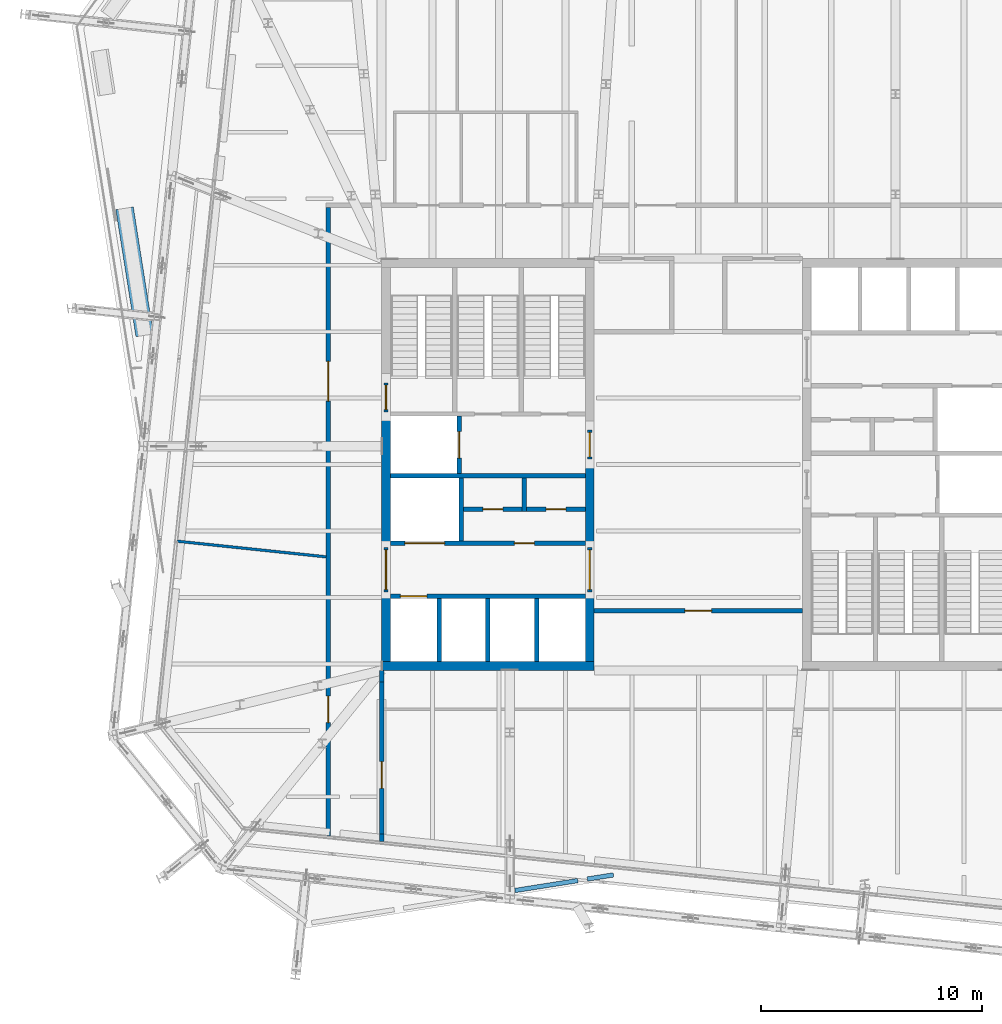
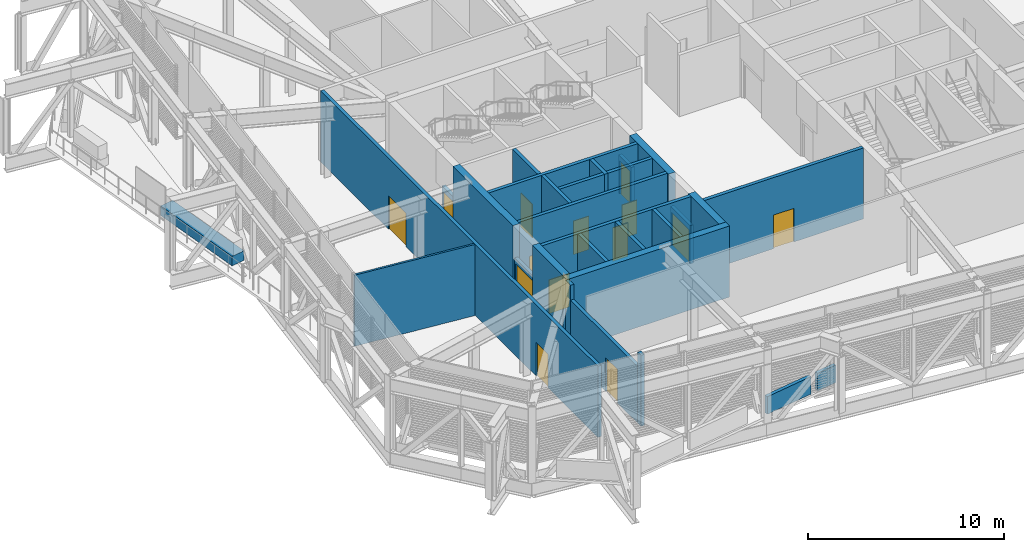
# One storey, part 21 of 36: 28 walls, 14 doors, 14 openings.
"""IFC4 building model written with IfcOpenShell, lengths in metres."""

from ifc_helpers import new_model, si_unit, direction, frame, frame_2d, origin, place, context, subcontext, project, spatial, rectangle, extrude, material, layer, layer_set, type_object, element, fill, save


model = new_model("IFC4")

# Units and contexts
model_context = context("Model", 3, precision=1e-05, world=origin(), true_north=direction((0.0, 1.0)))
body_context = subcontext(model_context, "Body", "Model", "MODEL_VIEW")
ifc_project = project(units=[si_unit("LENGTHUNIT", "METRE"), si_unit("AREAUNIT", "SQUARE_METRE"), si_unit("VOLUMEUNIT", "CUBIC_METRE"), si_unit("PLANEANGLEUNIT", "RADIAN"), si_unit("MASSUNIT", "GRAM", prefix="KILO")], contexts=[model_context])

# Site, building, storey
site_placement = place(None, origin())
site = spatial("IfcSite", under=ifc_project, at=site_placement, CompositionType="ELEMENT")
building_placement = place(site_placement, origin())
building = spatial("IfcBuilding", under=site, at=building_placement, Name="Millrace Tower", CompositionType="ELEMENT")
storey_placement = place(building_placement, frame((0.0, 0.0, 271.39990234375)))
storey = spatial("IfcBuildingStorey", under=building, at=storey_placement, Name="L62", CompositionType="ELEMENT", Elevation=271.39990234375)

# Walls
ifc_material_1 = material(Name="Concrete C60", Category="concrete")
ifc_layer_1 = layer(ifc_material_1, 0.39990234375)
ifc_layer_set_1 = layer_set([ifc_layer_1], Name="Concrete C60")
wall_type_1 = type_object("IfcWallType", Name="Core wall 400 Concrete C60", PredefinedType="SHEAR", material=ifc_layer_set_1)
wall_1_placement = place(storey_placement, frame((-14.300048828125, -9.10009765625, 0.0), z_axis=(0.0, 0.0, 1.0), x_axis=(1.0, 0.0, 0.0)))
element("IfcWall", 1, at=wall_1_placement, inside=storey, type_object=wall_type_1, Name="Core wall W L62", PredefinedType="SHEAR", context=body_context, shape_type="SweptSolid", body=[
    extrude(rectangle(XDim=9.60009765625, YDim=0.39990234375, at=frame_2d((4.800048828125, 0.0))), origin(), (0.0, 0.0, 1.0), 4.440185546875),
])
wall_2_placement = place(storey_placement, frame((-14.10009765625, -8.89990234375, 0.0), z_axis=(0.0, 0.0, 1.0), x_axis=(0.0, 1.0, 0.0)))
element("IfcWall", 2, at=wall_2_placement, inside=storey, type_object=wall_type_1, Name="Core wall W L62", PredefinedType="SHEAR", context=body_context, shape_type="SweptSolid", body=[
    extrude(rectangle(XDim=3.14990234375, YDim=0.39990234375, at=frame_2d((1.574951171875, 0.0))), origin(), (0.0, 0.0, 1.0), 4.440185546875),
])
wall_3_placement = place(storey_placement, frame((-14.10009765625, -3.75, 0.0), z_axis=(0.0, 0.0, 1.0), x_axis=(0.0, 1.0, 0.0)))
element("IfcWall", 3, at=wall_3_placement, inside=storey, type_object=wall_type_1, Name="Core wall W L62", PredefinedType="SHEAR", context=body_context, shape_type="SweptSolid", body=[
    extrude(rectangle(XDim=6.1298828125, YDim=0.39990234375, at=frame_2d((3.06494140625, 0.0))), origin(), (0.0, 0.0, 1.0), 4.440185546875),
])
wall_4_placement = place(storey_placement, frame((-4.89990234375, -8.89990234375, 0.0), z_axis=(0.0, 0.0, 1.0), x_axis=(0.0, 1.0, 0.0)))
element("IfcWall", 4, at=wall_4_placement, inside=storey, type_object=wall_type_1, Name="Core wall W L62", PredefinedType="SHEAR", context=body_context, shape_type="SweptSolid", body=[
    extrude(rectangle(XDim=3.14990234375, YDim=0.39990234375, at=frame_2d((1.574951171875, 0.0))), origin(), (0.0, 0.0, 1.0), 4.440185546875),
])
wall_5_placement = place(storey_placement, frame((-4.89990234375, -3.75, 0.0), z_axis=(0.0, 0.0, 1.0), x_axis=(0.0, 1.0, 0.0)))
element("IfcWall", 5, at=wall_5_placement, inside=storey, type_object=wall_type_1, Name="Core wall W L62", PredefinedType="SHEAR", context=body_context, shape_type="SweptSolid", body=[
    extrude(rectangle(XDim=4.0, YDim=0.39990234375, at=frame_2d((2.0, 0.0))), origin(), (0.0, 0.0, 1.0), 4.440185546875),
])

# Wall, opening, door
ifc_material_2 = material(Name="Masonry partition, fire-rated", Category="masonry")
ifc_layer_2 = layer(ifc_material_2, 0.199951171875)
ifc_layer_set_2 = layer_set([ifc_layer_2], Name="Masonry partition, fire-rated")
wall_type_2 = type_object("IfcWallType", Name="Corridor wall 200", PredefinedType="PARTITIONING", material=ifc_layer_set_2)
wall_6_placement = place(storey_placement, frame((-4.699951171875, -6.60009765625, 0.0), z_axis=(0.0, 0.0, 1.0), x_axis=(1.0, 0.0, 0.0)))
wall_6 = element("IfcWall", 6, at=wall_6_placement, inside=storey, type_object=wall_type_2, Name="Corridor wall L62", PredefinedType="PARTITIONING", context=body_context, shape_type="SweptSolid", body=[
    extrude(rectangle(XDim=9.39990234375, YDim=0.199951171875, at=frame_2d((4.699951171875, 0.0))), origin(), (0.0, 0.0, 1.0), 4.440185546875),
])
opening_1_placement = place(wall_6_placement, frame((4.10009765625, 0.0, 0.0)))
opening_1 = element("IfcOpeningElement", 7, at=opening_1_placement, cuts=wall_6, Name="Opening 62-P008", PredefinedType="OPENING", context=body_context, shape_type="SweptSolid", body=[
    extrude(rectangle(XDim=1.199951171875, YDim=2.10009765625, at=frame_2d((0.60009765625, 1.050048828125))), frame((0.0, 0.10986328125, 0.0), z_axis=(0.0, -1.0, 0.0), x_axis=(1.0, 0.0, 0.0)), (0.0, 0.0, 1.0), 0.219970703125),
])
ifc_material_3 = material(Name="Steel door set, fire-rated", Category="steel")
door_type_1 = type_object("IfcDoorType", Name="Corridor door 1200 x 2100", OperationType="SINGLE_SWING_LEFT", PredefinedType="DOOR", material=ifc_material_3)
door_1_placement = place(opening_1_placement, frame((1.199951171875, 0.0, 0.0), z_axis=(0.0, 0.0, 1.0), x_axis=(-1.0, 0.0, 0.0)))
door_1 = element("IfcDoor", 8, at=door_1_placement, inside=storey, type_object=door_type_1, Name="Door 62-P008", OperationType="SINGLE_SWING_LEFT", OverallHeight=2.10009765625, OverallWidth=1.199951171875, PredefinedType="DOOR", context=body_context, shape_type="SweptSolid", body=[
    extrude(rectangle(XDim=1.199951171875, YDim=2.10009765625, at=frame_2d((0.60009765625, 1.050048828125))), frame((0.0, 0.02490234375, 0.0), z_axis=(0.0, -1.0, 0.0), x_axis=(1.0, 0.0, 0.0)), (0.0, 0.0, 1.0), 0.050048828125),
])
fill(opening_1, door_1)

# Wall
wall_7_placement = place(storey_placement, frame((-14.300048828125, -17.031494140625, 0.0), z_axis=(0.0, 0.0, 1.0), x_axis=(0.0, 1.0, 0.0)))
element("IfcWall", 9, at=wall_7_placement, inside=storey, type_object=wall_type_2, Name="Corridor wall L62", PredefinedType="PARTITIONING", context=body_context, shape_type="SweptSolid", body=[
    extrude(rectangle(XDim=0.339111328125, YDim=0.199951171875, at=frame_2d((0.16943359375, 0.0))), origin(), (0.0, 0.0, 1.0), 4.440185546875),
])

# Wall, opening, door
wall_8_placement = place(storey_placement, frame((-14.300048828125, -16.6923828125, 0.0), z_axis=(0.0, 0.0, 1.0), x_axis=(0.0, 1.0, 0.0)))
wall_8 = element("IfcWall", 10, at=wall_8_placement, inside=storey, type_object=wall_type_2, Name="Corridor wall L62", PredefinedType="PARTITIONING", context=body_context, shape_type="SweptSolid", body=[
    extrude(rectangle(XDim=6.86767578125, YDim=0.199951171875, at=frame_2d((3.433837890625, 0.0))), origin(), (0.0, 0.0, 1.0), 3.512939453125),
])
opening_2_placement = place(wall_8_placement, frame((2.07568359375, 0.0, 0.0)))
opening_2 = element("IfcOpeningElement", 11, at=opening_2_placement, cuts=wall_8, Name="Opening 62-P007", PredefinedType="OPENING", context=body_context, shape_type="SweptSolid", body=[
    extrude(rectangle(XDim=1.199951171875, YDim=2.10009765625, at=frame_2d((0.60009765625, 1.050048828125))), frame((0.0, 0.10986328125, 0.0), z_axis=(0.0, -1.0, 0.0), x_axis=(1.0, 0.0, 0.0)), (0.0, 0.0, 1.0), 0.219970703125),
])
door_2_placement = place(opening_2_placement, origin())
door_2 = element("IfcDoor", 12, at=door_2_placement, inside=storey, type_object=door_type_1, Name="Door 62-P007", OperationType="SINGLE_SWING_LEFT", OverallHeight=2.10009765625, OverallWidth=1.199951171875, PredefinedType="DOOR", context=body_context, shape_type="SweptSolid", body=[
    extrude(rectangle(XDim=1.199951171875, YDim=2.10009765625, at=frame_2d((0.60009765625, 1.050048828125))), frame((0.0, 0.02490234375, 0.0), z_axis=(0.0, -1.0, 0.0), x_axis=(1.0, 0.0, 0.0)), (0.0, 0.0, 1.0), 0.050048828125),
])
fill(opening_2, door_2)

# Wall
wall_9_placement = place(storey_placement, frame((-14.300048828125, -9.82470703125, 0.0), z_axis=(0.0, 0.0, 1.0), x_axis=(0.0, 1.0, 0.0)))
element("IfcWall", 13, at=wall_9_placement, inside=storey, type_object=wall_type_2, Name="Corridor wall L62", PredefinedType="PARTITIONING", context=body_context, shape_type="SweptSolid", body=[
    extrude(rectangle(XDim=0.524658203125, YDim=0.199951171875, at=frame_2d((0.26220703125, 0.0))), origin(), (0.0, 0.0, 1.0), 4.440185546875),
])

# Wall, openings, doors
wall_10_placement = place(storey_placement, frame((-16.699951171875, -16.779296875, 0.0), z_axis=(0.0, 0.0, 1.0), x_axis=(0.0, 1.0, 0.0)))
wall_10 = element("IfcWall", 14, at=wall_10_placement, inside=storey, type_object=wall_type_2, Name="Corridor wall L62", PredefinedType="PARTITIONING", context=body_context, shape_type="SweptSolid", body=[
    extrude(rectangle(XDim=28.37939453125, YDim=0.199951171875, at=frame_2d((14.189697265625, 0.0))), origin(), (0.0, 0.0, 1.0), 4.440185546875),
])
opening_3_placement = place(wall_10_placement, frame((5.124755859375, 0.0, 0.0)))
opening_3 = element("IfcOpeningElement", 15, at=opening_3_placement, cuts=wall_10, Name="Opening 62-P003", PredefinedType="OPENING", context=body_context, shape_type="SweptSolid", body=[
    extrude(rectangle(XDim=1.199951171875, YDim=2.10009765625, at=frame_2d((0.60009765625, 1.050048828125))), frame((0.0, 0.10986328125, 0.0), z_axis=(0.0, -1.0, 0.0), x_axis=(1.0, 0.0, 0.0)), (0.0, 0.0, 1.0), 0.219970703125),
])
opening_4_placement = place(wall_10_placement, frame((19.63916015625, 0.0, 0.0)))
opening_4 = element("IfcOpeningElement", 16, at=opening_4_placement, cuts=wall_10, Name="Opening 62-P004", PredefinedType="OPENING", context=body_context, shape_type="SweptSolid", body=[
    extrude(rectangle(XDim=1.800048828125, YDim=2.10009765625, at=frame_2d((0.89990234375, 1.050048828125))), frame((0.0, 0.10986328125, 0.0), z_axis=(0.0, -1.0, 0.0), x_axis=(1.0, 0.0, 0.0)), (0.0, 0.0, 1.0), 0.219970703125),
])
door_3_placement = place(opening_3_placement, origin())
door_3 = element("IfcDoor", 17, at=door_3_placement, inside=storey, type_object=door_type_1, Name="Door 62-P003", OperationType="SINGLE_SWING_LEFT", OverallHeight=2.10009765625, OverallWidth=1.199951171875, PredefinedType="DOOR", context=body_context, shape_type="SweptSolid", body=[
    extrude(rectangle(XDim=1.199951171875, YDim=2.10009765625, at=frame_2d((0.60009765625, 1.050048828125))), frame((0.0, 0.02490234375, 0.0), z_axis=(0.0, -1.0, 0.0), x_axis=(1.0, 0.0, 0.0)), (0.0, 0.0, 1.0), 0.050048828125),
])
fill(opening_3, door_3)
ifc_material_4 = material(Name="Steel door set, fire-rated", Category="steel")
door_type_2 = type_object("IfcDoorType", Name="Corridor door 1800 x 2100", OperationType="DOUBLE_DOOR_SINGLE_SWING", PredefinedType="DOOR", material=ifc_material_4)
door_4_placement = place(opening_4_placement, frame((1.800048828125, 0.0, 0.0), z_axis=(0.0, 0.0, 1.0), x_axis=(-1.0, 0.0, 0.0)))
door_4 = element("IfcDoor", 18, at=door_4_placement, inside=storey, type_object=door_type_2, Name="Door 62-P004", OperationType="DOUBLE_DOOR_SINGLE_SWING", OverallHeight=2.10009765625, OverallWidth=1.800048828125, PredefinedType="DOOR", context=body_context, shape_type="SweptSolid", body=[
    extrude(rectangle(XDim=1.800048828125, YDim=2.10009765625, at=frame_2d((0.89990234375, 1.050048828125))), frame((0.0, 0.02490234375, 0.0), z_axis=(0.0, -1.0, 0.0), x_axis=(1.0, 0.0, 0.0)), (0.0, 0.0, 1.0), 0.050048828125),
])
fill(opening_4, door_4)

# Wall, opening, door
ifc_material_5 = material(Name="Masonry partition, fire-rated", Category="masonry")
ifc_layer_3 = layer(ifc_material_5, 0.199951171875)
ifc_layer_set_3 = layer_set([ifc_layer_3], Name="Masonry partition, fire-rated")
wall_type_3 = type_object("IfcWallType", Name="Lift shaft wall 200", PredefinedType="PARTITIONING", material=ifc_layer_set_3)
wall_11_placement = place(storey_placement, frame((-13.89990234375, -5.949951171875, 0.0), z_axis=(0.0, 0.0, 1.0), x_axis=(1.0, 0.0, 0.0)))
wall_11 = element("IfcWall", 19, at=wall_11_placement, inside=storey, type_object=wall_type_3, Name="Lift shaft wall W L62", PredefinedType="PARTITIONING", context=body_context, shape_type="SweptSolid", body=[
    extrude(rectangle(XDim=8.7998046875, YDim=0.199951171875, at=frame_2d((4.39990234375, 0.0))), origin(), (0.0, 0.0, 1.0), 4.440185546875),
])
opening_5_placement = place(wall_11_placement, frame((0.449951171875, 0.0, 0.0)))
opening_5 = element("IfcOpeningElement", 20, at=opening_5_placement, cuts=wall_11, Name="Opening 62-LD01", PredefinedType="OPENING", context=body_context, shape_type="SweptSolid", body=[
    extrude(rectangle(XDim=1.199951171875, YDim=2.10009765625, at=frame_2d((0.60009765625, 1.050048828125))), frame((0.0, 0.10986328125, 0.0), z_axis=(0.0, -1.0, 0.0), x_axis=(1.0, 0.0, 0.0)), (0.0, 0.0, 1.0), 0.219970703125),
])
ifc_material_6 = material(Name="Stainless steel, fire-rated", Category="steel")
door_type_3 = type_object("IfcDoorType", Name="Lift landing door 1200 x 2100", OperationType="DOUBLE_DOOR_SLIDING", PredefinedType="DOOR", material=ifc_material_6)
door_5_placement = place(opening_5_placement, origin())
door_5 = element("IfcDoor", 21, at=door_5_placement, inside=storey, type_object=door_type_3, Name="Lift landing door LF1 L62", OperationType="DOUBLE_DOOR_SLIDING", OverallHeight=2.10009765625, OverallWidth=1.199951171875, PredefinedType="DOOR", context=body_context, shape_type="SweptSolid", body=[
    extrude(rectangle(XDim=1.199951171875, YDim=2.10009765625, at=frame_2d((0.60009765625, 1.050048828125))), frame((0.0, 0.02490234375, 0.0), z_axis=(0.0, -1.0, 0.0), x_axis=(1.0, 0.0, 0.0)), (0.0, 0.0, 1.0), 0.050048828125),
])
fill(opening_5, door_5)

# Wall, openings, doors
wall_12_placement = place(storey_placement, frame((-13.89990234375, -3.550048828125, 0.0), z_axis=(0.0, 0.0, 1.0), x_axis=(1.0, 0.0, 0.0)))
wall_12 = element("IfcWall", 22, at=wall_12_placement, inside=storey, type_object=wall_type_3, Name="Lift shaft wall W L62", PredefinedType="PARTITIONING", context=body_context, shape_type="SweptSolid", body=[
    extrude(rectangle(XDim=8.7998046875, YDim=0.199951171875, at=frame_2d((4.39990234375, 0.0))), origin(), (0.0, 0.0, 1.0), 4.440185546875),
])
opening_6_placement = place(wall_12_placement, frame((0.64990234375, 0.0, 0.0)))
opening_6 = element("IfcOpeningElement", 23, at=opening_6_placement, cuts=wall_12, Name="Opening 62-LD05", PredefinedType="OPENING", context=body_context, shape_type="SweptSolid", body=[
    extrude(rectangle(XDim=1.800048828125, YDim=2.10009765625, at=frame_2d((0.89990234375, 1.050048828125))), frame((0.0, 0.10986328125, 0.0), z_axis=(0.0, -1.0, 0.0), x_axis=(1.0, 0.0, 0.0)), (0.0, 0.0, 1.0), 0.219970703125),
])
opening_7_placement = place(wall_12_placement, frame((5.60009765625, 0.0, 0.0)))
opening_7 = element("IfcOpeningElement", 24, at=opening_7_placement, cuts=wall_12, Name="Opening 62-C005", PredefinedType="OPENING", context=body_context, shape_type="SweptSolid", body=[
    extrude(rectangle(XDim=0.89990234375, YDim=2.10009765625, at=frame_2d((0.449951171875, 1.050048828125))), frame((0.0, 0.10986328125, 0.0), z_axis=(0.0, -1.0, 0.0), x_axis=(1.0, 0.0, 0.0)), (0.0, 0.0, 1.0), 0.219970703125),
])
ifc_material_7 = material(Name="Stainless steel, fire-rated", Category="steel")
door_type_4 = type_object("IfcDoorType", Name="Lift landing door 1800 x 2100", OperationType="DOUBLE_DOOR_SLIDING", PredefinedType="DOOR", material=ifc_material_7)
door_6_placement = place(opening_6_placement, origin())
door_6 = element("IfcDoor", 25, at=door_6_placement, inside=storey, type_object=door_type_4, Name="Lift landing door LF5 L62", OperationType="DOUBLE_DOOR_SLIDING", OverallHeight=2.10009765625, OverallWidth=1.800048828125, PredefinedType="DOOR", context=body_context, shape_type="SweptSolid", body=[
    extrude(rectangle(XDim=1.800048828125, YDim=2.10009765625, at=frame_2d((0.89990234375, 1.050048828125))), frame((0.0, 0.02490234375, 0.0), z_axis=(0.0, -1.0, 0.0), x_axis=(1.0, 0.0, 0.0)), (0.0, 0.0, 1.0), 0.050048828125),
])
fill(opening_6, door_6)
ifc_material_8 = material(Name="Steel door, fire-rated", Category="steel")
door_type_5 = type_object("IfcDoorType", Name="Service room door 900 x 2100", OperationType="SINGLE_SWING_LEFT", PredefinedType="DOOR", material=ifc_material_8)
door_7_placement = place(opening_7_placement, frame((0.89990234375, 0.0, 0.0), z_axis=(0.0, 0.0, 1.0), x_axis=(-1.0, 0.0, 0.0)))
door_7 = element("IfcDoor", 26, at=door_7_placement, inside=storey, type_object=door_type_5, Name="Service room door 62-C005", OperationType="SINGLE_SWING_LEFT", OverallHeight=2.10009765625, OverallWidth=0.89990234375, PredefinedType="DOOR", context=body_context, shape_type="SweptSolid", body=[
    extrude(rectangle(XDim=0.89990234375, YDim=2.10009765625, at=frame_2d((0.449951171875, 1.050048828125))), frame((0.0, 0.02490234375, 0.0), z_axis=(0.0, -1.0, 0.0), x_axis=(1.0, 0.0, 0.0)), (0.0, 0.0, 1.0), 0.050048828125),
])
fill(opening_7, door_7)

# Wall
wall_13_placement = place(storey_placement, frame((-13.89990234375, -0.5, 0.0), z_axis=(0.0, 0.0, 1.0), x_axis=(1.0, 0.0, 0.0)))
element("IfcWall", 27, at=wall_13_placement, inside=storey, type_object=wall_type_3, Name="Lift shaft wall W L62", PredefinedType="PARTITIONING", context=body_context, shape_type="SweptSolid", body=[
    extrude(rectangle(XDim=8.7998046875, YDim=0.199951171875, at=frame_2d((4.39990234375, 0.0))), origin(), (0.0, 0.0, 1.0), 4.440185546875),
])

# Wall, opening, door
wall_14_placement = place(storey_placement, frame((-10.800048828125, -0.39990234375, 0.0), z_axis=(0.0, 0.0, 1.0), x_axis=(0.0, 1.0, 0.0)))
wall_14 = element("IfcWall", 28, at=wall_14_placement, inside=storey, type_object=wall_type_3, Name="Lift shaft wall W L62", PredefinedType="PARTITIONING", context=body_context, shape_type="SweptSolid", body=[
    extrude(rectangle(XDim=2.579833984375, YDim=0.199951171875, at=frame_2d((1.2900390625, 0.0))), origin(), (0.0, 0.0, 1.0), 4.440185546875),
])
opening_8_placement = place(wall_14_placement, frame((0.68994140625, 0.0, 0.0)))
opening_8 = element("IfcOpeningElement", 29, at=opening_8_placement, cuts=wall_14, Name="Opening 62-LD08", PredefinedType="OPENING", context=body_context, shape_type="SweptSolid", body=[
    extrude(rectangle(XDim=1.199951171875, YDim=2.10009765625, at=frame_2d((0.60009765625, 1.050048828125))), frame((0.0, 0.10986328125, 0.0), z_axis=(0.0, -1.0, 0.0), x_axis=(1.0, 0.0, 0.0)), (0.0, 0.0, 1.0), 0.219970703125),
])
door_8_placement = place(opening_8_placement, origin())
door_8 = element("IfcDoor", 30, at=door_8_placement, inside=storey, type_object=door_type_3, Name="Lift landing door LF8 L62", OperationType="DOUBLE_DOOR_SLIDING", OverallHeight=2.10009765625, OverallWidth=1.199951171875, PredefinedType="DOOR", context=body_context, shape_type="SweptSolid", body=[
    extrude(rectangle(XDim=1.199951171875, YDim=2.10009765625, at=frame_2d((0.60009765625, 1.050048828125))), frame((0.0, 0.02490234375, 0.0), z_axis=(0.0, -1.0, 0.0), x_axis=(1.0, 0.0, 0.0)), (0.0, 0.0, 1.0), 0.050048828125),
])
fill(opening_8, door_8)

# Walls
for number, where, z_axis, x_axis, name in (
    (31, (-11.699951171875, -8.89990234375, 0.0), (0.0, 0.0, 1.0), (0.0, 1.0, 0.0), "Lift shaft wall W L62"),
    (32, (-9.5, -8.89990234375, 0.0), (0.0, 0.0, 1.0), (0.0, 1.0, 0.0), "Lift shaft wall W L62"),
    (33, (-7.300048828125, -8.89990234375, 0.0), (0.0, 0.0, 1.0), (0.0, 1.0, 0.0), "Lift shaft wall W L62"),
    (34, (-10.699951171875, -3.449951171875, 0.0), (0.0, 0.0, 1.0), (0.0, 1.0, 0.0), "Lift shaft wall W L62"),
):
    element("IfcWall", number, at=place(storey_placement, frame(where, z_axis=z_axis, x_axis=x_axis)), inside=storey, type_object=wall_type_3, Name=name, PredefinedType="PARTITIONING", context=body_context, shape_type="SweptSolid", body=[
        extrude(rectangle(XDim=2.849853515625, YDim=0.199951171875, at=frame_2d((1.4248046875, 0.0))), origin(), (0.0, 0.0, 1.0), 4.440185546875),
    ])

# Wall, opening, door
ifc_material_9 = material(Name="Masonry partition, fire-rated", Category="masonry")
ifc_layer_4 = layer(ifc_material_9, 0.199951171875)
ifc_layer_set_4 = layer_set([ifc_layer_4], Name="Masonry partition, fire-rated")
wall_type_4 = type_object("IfcWallType", Name="Lobby wall 200", PredefinedType="PARTITIONING", material=ifc_layer_set_4)
wall_15_placement = place(storey_placement, frame((-14.10009765625, -5.75, 0.0), z_axis=(0.0, 0.0, 1.0), x_axis=(0.0, 1.0, 0.0)))
wall_15 = element("IfcWall", 35, at=wall_15_placement, inside=storey, type_object=wall_type_4, Name="Lobby wall W L62", PredefinedType="PARTITIONING", context=body_context, shape_type="SweptSolid", body=[
    extrude(rectangle(XDim=2.0, YDim=0.199951171875, at=frame_2d((1.0, 0.0))), origin(), (0.0, 0.0, 1.0), 2.400146484375),
])
opening_9_placement = place(wall_15_placement, frame((0.10009765625, 0.0, 0.0)))
opening_9 = element("IfcOpeningElement", 36, at=opening_9_placement, cuts=wall_15, Name="Opening 62-C001", PredefinedType="OPENING", context=body_context, shape_type="SweptSolid", body=[
    extrude(rectangle(XDim=1.800048828125, YDim=2.10009765625, at=frame_2d((0.89990234375, 1.050048828125))), frame((0.0, 0.10986328125, 0.0), z_axis=(0.0, -1.0, 0.0), x_axis=(1.0, 0.0, 0.0)), (0.0, 0.0, 1.0), 0.219970703125),
])
ifc_material_10 = material(Name="Steel door, fire-rated", Category="steel")
door_type_6 = type_object("IfcDoorType", Name="Lobby door 1800 x 2100", OperationType="DOUBLE_DOOR_SINGLE_SWING", PredefinedType="DOOR", material=ifc_material_10)
door_9_placement = place(opening_9_placement, origin())
door_9 = element("IfcDoor", 37, at=door_9_placement, inside=storey, type_object=door_type_6, Name="Lobby door 62-C001", OperationType="DOUBLE_DOOR_SINGLE_SWING", OverallHeight=2.10009765625, OverallWidth=1.800048828125, PredefinedType="DOOR", context=body_context, shape_type="SweptSolid", body=[
    extrude(rectangle(XDim=1.800048828125, YDim=2.10009765625, at=frame_2d((0.89990234375, 1.050048828125))), frame((0.0, 0.02490234375, 0.0), z_axis=(0.0, -1.0, 0.0), x_axis=(1.0, 0.0, 0.0)), (0.0, 0.0, 1.0), 0.050048828125),
])
fill(opening_9, door_9)

wall_16_placement = place(storey_placement, frame((-4.89990234375, -5.75, 0.0), z_axis=(0.0, 0.0, 1.0), x_axis=(0.0, 1.0, 0.0)))
wall_16 = element("IfcWall", 38, at=wall_16_placement, inside=storey, type_object=wall_type_4, Name="Lobby wall W L62", PredefinedType="PARTITIONING", context=body_context, shape_type="SweptSolid", body=[
    extrude(rectangle(XDim=2.0, YDim=0.199951171875, at=frame_2d((1.0, 0.0))), origin(), (0.0, 0.0, 1.0), 2.400146484375),
])
opening_10_placement = place(wall_16_placement, frame((0.10009765625, 0.0, 0.0)))
opening_10 = element("IfcOpeningElement", 39, at=opening_10_placement, cuts=wall_16, Name="Opening 62-C003", PredefinedType="OPENING", context=body_context, shape_type="SweptSolid", body=[
    extrude(rectangle(XDim=1.800048828125, YDim=2.10009765625, at=frame_2d((0.89990234375, 1.050048828125))), frame((0.0, 0.10986328125, 0.0), z_axis=(0.0, -1.0, 0.0), x_axis=(1.0, 0.0, 0.0)), (0.0, 0.0, 1.0), 0.219970703125),
])
door_10_placement = place(opening_10_placement, frame((1.800048828125, 0.0, 0.0), z_axis=(0.0, 0.0, 1.0), x_axis=(-1.0, 0.0, 0.0)))
door_10 = element("IfcDoor", 40, at=door_10_placement, inside=storey, type_object=door_type_6, Name="Lobby door 62-C003", OperationType="DOUBLE_DOOR_SINGLE_SWING", OverallHeight=2.10009765625, OverallWidth=1.800048828125, PredefinedType="DOOR", context=body_context, shape_type="SweptSolid", body=[
    extrude(rectangle(XDim=1.800048828125, YDim=2.10009765625, at=frame_2d((0.89990234375, 1.050048828125))), frame((0.0, 0.02490234375, 0.0), z_axis=(0.0, -1.0, 0.0), x_axis=(1.0, 0.0, 0.0)), (0.0, 0.0, 1.0), 0.050048828125),
])
fill(opening_10, door_10)

wall_17_placement = place(storey_placement, frame((-4.89990234375, 0.25, 0.0), z_axis=(0.0, 0.0, 1.0), x_axis=(0.0, 1.0, 0.0)))
wall_17 = element("IfcWall", 41, at=wall_17_placement, inside=storey, type_object=wall_type_4, Name="Lobby wall W L62", PredefinedType="PARTITIONING", context=body_context, shape_type="SweptSolid", body=[
    extrude(rectangle(XDim=1.300048828125, YDim=0.199951171875, at=frame_2d((0.64990234375, 0.0))), origin(), (0.0, 0.0, 1.0), 2.400146484375),
])
opening_11_placement = place(wall_17_placement, frame((0.10009765625, 0.0, 0.0)))
opening_11 = element("IfcOpeningElement", 42, at=opening_11_placement, cuts=wall_17, Name="Opening 62-C004", PredefinedType="OPENING", context=body_context, shape_type="SweptSolid", body=[
    extrude(rectangle(XDim=1.10009765625, YDim=2.10009765625, at=frame_2d((0.550048828125, 1.050048828125))), frame((0.0, 0.10986328125, 0.0), z_axis=(0.0, -1.0, 0.0), x_axis=(1.0, 0.0, 0.0)), (0.0, 0.0, 1.0), 0.219970703125),
])
ifc_material_11 = material(Name="Steel door, fire-rated", Category="steel")
door_type_7 = type_object("IfcDoorType", Name="Lobby door 1100 x 2100", OperationType="SINGLE_SWING_LEFT", PredefinedType="DOOR", material=ifc_material_11)
door_11_placement = place(opening_11_placement, frame((1.10009765625, 0.0, 0.0), z_axis=(0.0, 0.0, 1.0), x_axis=(-1.0, 0.0, 0.0)))
door_11 = element("IfcDoor", 43, at=door_11_placement, inside=storey, type_object=door_type_7, Name="Lobby door 62-C004", OperationType="SINGLE_SWING_RIGHT", OverallHeight=2.10009765625, OverallWidth=1.10009765625, PredefinedType="DOOR", context=body_context, shape_type="SweptSolid", body=[
    extrude(rectangle(XDim=1.10009765625, YDim=2.10009765625, at=frame_2d((0.550048828125, 1.050048828125))), frame((0.0, 0.02490234375, 0.0), z_axis=(0.0, -1.0, 0.0), x_axis=(1.0, 0.0, 0.0)), (0.0, 0.0, 1.0), 0.050048828125),
])
fill(opening_11, door_11)

# Walls
ifc_material_12 = material(Name="Concrete C40", Category="concrete")
ifc_layer_5 = layer(ifc_material_12, 0.800048828125)
ifc_layer_set_5 = layer_set([ifc_layer_5], Name="Concrete C40")
wall_type_5 = type_object("IfcWallType", Name="PLANTER raised bed 600 high x 800 thick", PredefinedType="STANDARD", material=ifc_layer_set_5)
wall_18_placement = place(storey_placement, frame((-25.90283203125, 11.564208984375, 0.0400390625), z_axis=(0.0, 0.0, 1.0), x_axis=(0.156446436676, -0.9876864444, 0.0)))
element("IfcWall", 44, at=wall_18_placement, inside=storey, type_object=wall_type_5, Name="PLANTER raised bed T-L61-1 1.2.1", PredefinedType="STANDARD", context=body_context, shape_type="SweptSolid", body=[
    extrude(rectangle(XDim=5.8037109375, YDim=0.800048828125, at=frame_2d((2.90185546875, 0.0))), origin(), (0.0, 0.0, 1.0), 0.60009765625),
])
ifc_material_13 = material(Name="Gypsum board partition")
ifc_layer_6 = layer(ifc_material_13, 0.1201171875)
ifc_layer_set_6 = layer_set([ifc_layer_6], Name="Gypsum board partition")
wall_type_6 = type_object("IfcWallType", Name="Partition wall 120", PredefinedType="PARTITIONING", material=ifc_layer_set_6)
wall_19_placement = place(storey_placement, frame((-23.526611328125, -3.462890625, 0.0), z_axis=(0.0, 0.0, 1.0), x_axis=(0.994529554987, -0.104455561157, 0.0)))
element("IfcWall", 45, at=wall_19_placement, inside=storey, type_object=wall_type_6, Name="Partition wall L62", PredefinedType="PARTITIONING", context=body_context, shape_type="SweptSolid", body=[
    extrude(rectangle(XDim=6.76416015625, YDim=0.1201171875, at=frame_2d((3.382080078125, 0.0))), origin(), (0.0, 0.0, 1.0), 4.440185546875),
])
ifc_material_14 = material(Name="Concrete C40", Category="concrete")
ifc_layer_7 = layer(ifc_material_14, 0.199951171875)
ifc_layer_set_7 = layer_set([ifc_layer_7], Name="Concrete C40")
wall_type_7 = type_object("IfcWallType", Name="Roof parapet 1100", PredefinedType="PARAPET", material=ifc_layer_set_7)
wall_20_placement = place(storey_placement, frame((-5.436767578125, -18.783447265625, 0.0), z_axis=(0.0, 0.0, 1.0), x_axis=(-0.98768159942, -0.15647702121, 0.0)))
element("IfcWall", 46, at=wall_20_placement, inside=storey, type_object=wall_type_7, Name="Roof parapet L61-E2-5 1", PredefinedType="PARAPET", context=body_context, shape_type="SweptSolid", body=[
    extrude(rectangle(XDim=2.87548828125, YDim=0.199951171875, at=frame_2d((1.437744140625, 0.0))), origin(), (0.0, 0.0, 1.0), 1.10009765625),
])
wall_21_placement = place(storey_placement, frame((-3.830322265625, -18.529052734375, 0.0), z_axis=(0.0, 0.0, 1.0), x_axis=(-0.987703240157, -0.156340363898, 0.0)))
element("IfcWall", 47, at=wall_21_placement, inside=storey, type_object=wall_type_7, Name="Roof parapet L61-E2-6 1", PredefinedType="PARAPET", context=body_context, shape_type="SweptSolid", body=[
    extrude(rectangle(XDim=1.194580078125, YDim=0.199951171875, at=frame_2d((0.59716796875, 0.0))), origin(), (0.0, 0.0, 1.0), 1.10009765625),
])

# Wall, openings, doors
ifc_material_15 = material(Name="Masonry partition, fire-rated", Category="masonry")
ifc_layer_8 = layer(ifc_material_15, 0.199951171875)
ifc_layer_set_8 = layer_set([ifc_layer_8], Name="Masonry partition, fire-rated")
wall_type_8 = type_object("IfcWallType", Name="Room partition 200", PredefinedType="PARTITIONING", material=ifc_layer_set_8)
wall_22_placement = place(storey_placement, frame((-10.60009765625, -2.02490234375, 0.0), z_axis=(0.0, 0.0, 1.0), x_axis=(1.0, 0.0, 0.0)))
wall_22 = element("IfcWall", 48, at=wall_22_placement, inside=storey, type_object=wall_type_8, Name="Room partition W L62", PredefinedType="PARTITIONING", context=body_context, shape_type="SweptSolid", body=[
    extrude(rectangle(XDim=5.5, YDim=0.199951171875, at=frame_2d((2.75, 0.0))), origin(), (0.0, 0.0, 1.0), 4.440185546875),
])
opening_12_placement = place(wall_22_placement, frame((0.875, 0.0, 0.0)))
opening_12 = element("IfcOpeningElement", 49, at=opening_12_placement, cuts=wall_22, Name="Opening 62-C006", PredefinedType="OPENING", context=body_context, shape_type="SweptSolid", body=[
    extrude(rectangle(XDim=0.89990234375, YDim=2.10009765625, at=frame_2d((0.449951171875, 1.050048828125))), frame((0.0, 0.10986328125, 0.0), z_axis=(0.0, -1.0, 0.0), x_axis=(1.0, 0.0, 0.0)), (0.0, 0.0, 1.0), 0.219970703125),
])
opening_13_placement = place(wall_22_placement, frame((3.72509765625, 0.0, 0.0)))
opening_13 = element("IfcOpeningElement", 50, at=opening_13_placement, cuts=wall_22, Name="Opening 62-C007", PredefinedType="OPENING", context=body_context, shape_type="SweptSolid", body=[
    extrude(rectangle(XDim=0.89990234375, YDim=2.10009765625, at=frame_2d((0.449951171875, 1.050048828125))), frame((0.0, 0.10986328125, 0.0), z_axis=(0.0, -1.0, 0.0), x_axis=(1.0, 0.0, 0.0)), (0.0, 0.0, 1.0), 0.219970703125),
])
door_12_placement = place(opening_12_placement, origin())
door_12 = element("IfcDoor", 51, at=door_12_placement, inside=storey, type_object=door_type_5, Name="Service room door 62-C006", OperationType="SINGLE_SWING_LEFT", OverallHeight=2.10009765625, OverallWidth=0.89990234375, PredefinedType="DOOR", context=body_context, shape_type="SweptSolid", body=[
    extrude(rectangle(XDim=0.89990234375, YDim=2.10009765625, at=frame_2d((0.449951171875, 1.050048828125))), frame((0.0, 0.02490234375, 0.0), z_axis=(0.0, -1.0, 0.0), x_axis=(1.0, 0.0, 0.0)), (0.0, 0.0, 1.0), 0.050048828125),
])
fill(opening_12, door_12)
door_13_placement = place(opening_13_placement, origin())
door_13 = element("IfcDoor", 52, at=door_13_placement, inside=storey, type_object=door_type_5, Name="Service room door 62-C007", OperationType="SINGLE_SWING_RIGHT", OverallHeight=2.10009765625, OverallWidth=0.89990234375, PredefinedType="DOOR", context=body_context, shape_type="SweptSolid", body=[
    extrude(rectangle(XDim=0.89990234375, YDim=2.10009765625, at=frame_2d((0.449951171875, 1.050048828125))), frame((0.0, 0.02490234375, 0.0), z_axis=(0.0, -1.0, 0.0), x_axis=(1.0, 0.0, 0.0)), (0.0, 0.0, 1.0), 0.050048828125),
])
fill(opening_13, door_13)

# Wall
wall_23_placement = place(storey_placement, frame((-7.85009765625, -2.125, 0.0), z_axis=(0.0, 0.0, 1.0), x_axis=(0.0, 1.0, 0.0)))
element("IfcWall", 53, at=wall_23_placement, inside=storey, type_object=wall_type_8, Name="Room partition W L62", PredefinedType="PARTITIONING", context=body_context, shape_type="SweptSolid", body=[
    extrude(rectangle(XDim=1.52490234375, YDim=0.199951171875, at=frame_2d((0.762451171875, 0.0))), origin(), (0.0, 0.0, 1.0), 4.440185546875),
])

# Wall, opening, door
ifc_material_16 = material(Name="Concrete C40", Category="concrete")
ifc_layer_9 = layer(ifc_material_16, 0.199951171875)
ifc_layer_set_9 = layer_set([ifc_layer_9], Name="Concrete C40")
wall_type_9 = type_object("IfcWallType", Name="Stair enclosure wall 200 Concrete C40", PredefinedType="SHEAR", material=ifc_layer_set_9)
wall_24_placement = place(storey_placement, frame((-14.10009765625, 2.3798828125, 0.0), z_axis=(0.0, 0.0, 1.0), x_axis=(0.0, 1.0, 0.0)))
wall_24 = element("IfcWall", 54, at=wall_24_placement, inside=storey, type_object=wall_type_9, Name="Stair enclosure wall W L62", PredefinedType="SHEAR", context=body_context, shape_type="SweptSolid", body=[
    extrude(rectangle(XDim=1.300048828125, YDim=0.199951171875, at=frame_2d((0.64990234375, 0.0))), origin(), (0.0, 0.0, 1.0), 2.400146484375),
])
opening_14_placement = place(wall_24_placement, frame((0.10009765625, 0.0, 0.0)))
opening_14 = element("IfcOpeningElement", 55, at=opening_14_placement, cuts=wall_24, Name="Opening 62-C002", PredefinedType="OPENING", context=body_context, shape_type="SweptSolid", body=[
    extrude(rectangle(XDim=1.10009765625, YDim=2.10009765625, at=frame_2d((0.550048828125, 1.050048828125))), frame((0.0, 0.10986328125, 0.0), z_axis=(0.0, -1.0, 0.0), x_axis=(1.0, 0.0, 0.0)), (0.0, 0.0, 1.0), 0.219970703125),
])
ifc_material_17 = material(Name="Steel door, fire-rated", Category="steel")
door_type_8 = type_object("IfcDoorType", Name="Stair door 1100 x 2100", OperationType="SINGLE_SWING_LEFT", PredefinedType="DOOR", material=ifc_material_17)
door_14_placement = place(opening_14_placement, origin())
door_14 = element("IfcDoor", 56, at=door_14_placement, inside=storey, type_object=door_type_8, Name="Stair door 62-C002", OperationType="SINGLE_SWING_LEFT", OverallHeight=2.10009765625, OverallWidth=1.10009765625, PredefinedType="DOOR", context=body_context, shape_type="SweptSolid", body=[
    extrude(rectangle(XDim=1.10009765625, YDim=2.10009765625, at=frame_2d((0.550048828125, 1.050048828125))), frame((0.0, 0.02490234375, 0.0), z_axis=(0.0, -1.0, 0.0), x_axis=(1.0, 0.0, 0.0)), (0.0, 0.0, 1.0), 0.050048828125),
])
fill(opening_14, door_14)

save(model, "model.ifc")
